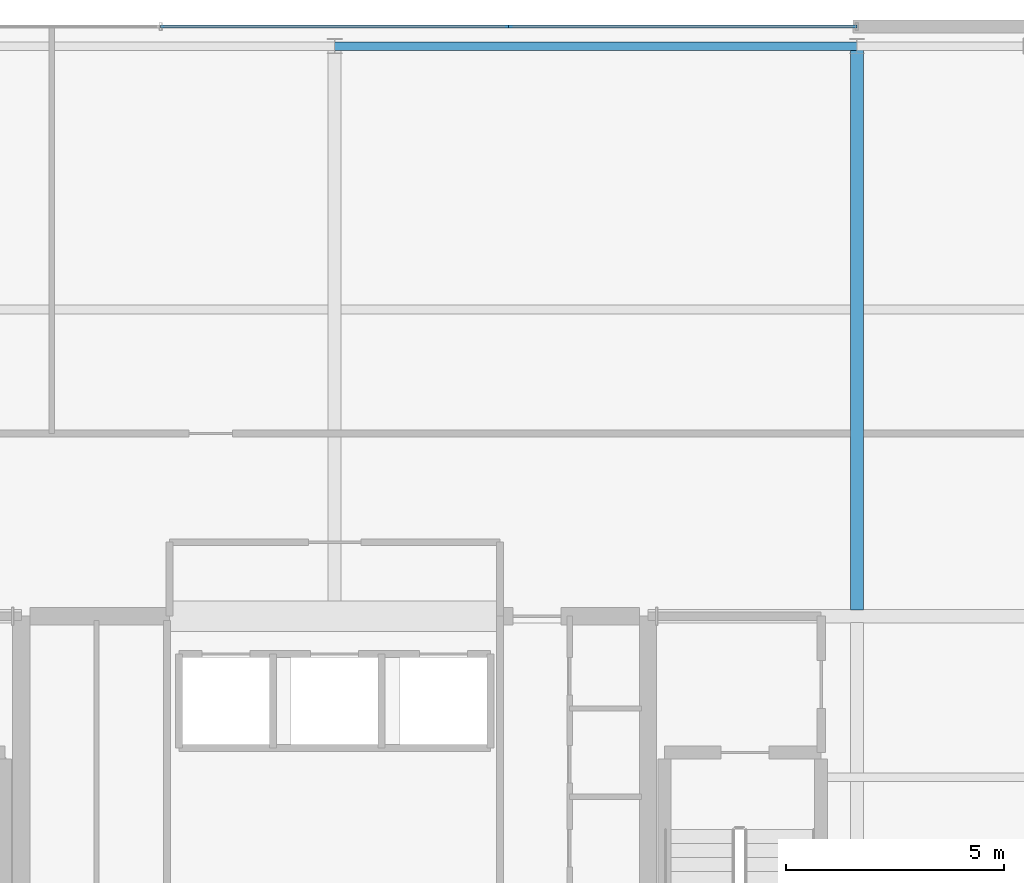
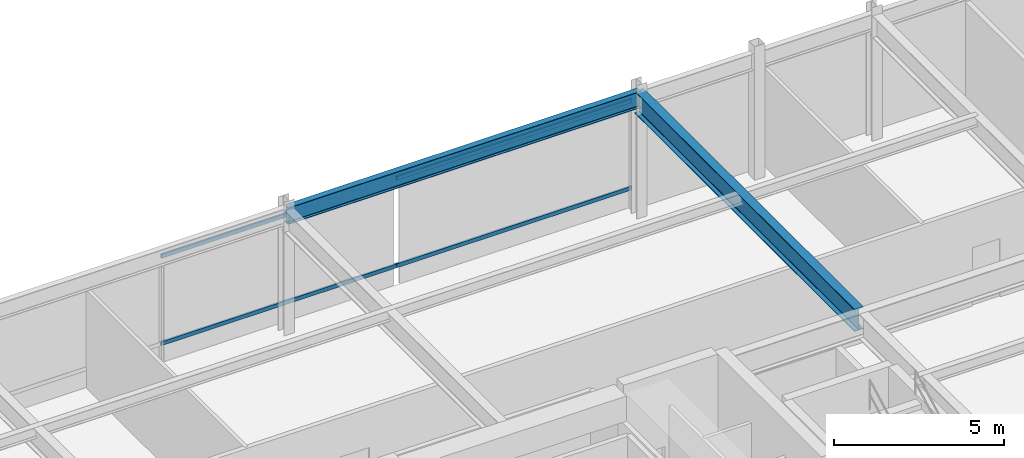
# One storey, part 11 of 22: 4 members, 2 beams, 1 element without a shape of its own.
"""IFC4 building model written with IfcOpenShell, lengths in metres."""

import ifcopenshell
import ifcopenshell.guid

model = None  # the IFC model being written
_history = None  # IfcOwnerHistory: only IFC2X3 demands one
_inside = {}  # id of a spatial element -> (the spatial element, [elements in it])
_under = {}  # id of a project, library or spatial element -> (it, [spatial elements below it])
_declared = {}  # id of a project -> (the project, [libraries it declares])
_typed = {}  # id of a type object -> (the type object, [elements of that type])
_made_of = {}  # id of a material, layer set ... -> (it, [elements and type objects made of it])


def new_model(schema):
    """Start an empty IFC model of exactly this schema.

    Asked for "IFC4X3", IfcOpenShell would pick the latest addendum, in which some entities
    have other attributes; the version numbers below select the first issue.
    IFC2X3 requires an IfcOwnerHistory on every rooted entity: one is made here for all.
    """
    global model, _history
    if schema == "IFC4X3":
        model = ifcopenshell.file(schema_version=(4, 3, 0, 0))
    else:
        model = ifcopenshell.file(schema=schema)
    _inside.clear()
    _under.clear()
    _declared.clear()
    _typed.clear()
    _made_of.clear()
    _history = None
    if model.schema == "IFC2X3":
        org = make("IfcOrganization", Name="unknown")
        user = make(
            "IfcPersonAndOrganization",
            ThePerson=make("IfcPerson", FamilyName="unknown"),
            TheOrganization=org,
        )
        app = make(
            "IfcApplication",
            ApplicationDeveloper=org,
            Version="unknown",
            ApplicationFullName="unknown",
            ApplicationIdentifier="unknown",
        )
        _history = make(
            "IfcOwnerHistory",
            OwningUser=user,
            OwningApplication=app,
            ChangeAction="ADDED",
            CreationDate=0,
        )
    return model


def make(cls, **values):
    """One entity of the class cls with the attributes given. An attribute that is None is left unset."""
    return model.create_entity(
        cls, **{name: value for name, value in values.items() if value is not None}
    )


def rooted(cls, **values):
    """An entity with a GlobalId (a new one), such as an element, a storey or a relation."""
    return make(cls, GlobalId=ifcopenshell.guid.new(), OwnerHistory=_history, **values)


def si_unit(unit_type, name, prefix=None):
    """IfcSIUnit, for example si_unit("LENGTHUNIT", "METRE", prefix="MILLI")."""
    return make("IfcSIUnit", UnitType=unit_type, Prefix=prefix, Name=name)


def assignment(units):
    """IfcUnitAssignment: the units of a project."""
    return None if units is None else make("IfcUnitAssignment", Units=units)


def point(xyz):
    """IfcCartesianPoint."""
    return None if xyz is None else make("IfcCartesianPoint", Coordinates=xyz)


def direction(xyz):
    """IfcDirection."""
    return None if xyz is None else make("IfcDirection", DirectionRatios=xyz)


def frame(location, z_axis=None, x_axis=None):
    """IfcAxis2Placement3D, a coordinate frame: its origin and axes. An axis left out is left unset."""
    return make(
        "IfcAxis2Placement3D",
        Location=point(location),
        Axis=direction(z_axis),
        RefDirection=direction(x_axis),
    )


def frame_2d(location, x_axis=None):
    """IfcAxis2Placement2D, a coordinate frame in the plane: its origin and x axis."""
    return make(
        "IfcAxis2Placement2D", Location=point(location), RefDirection=direction(x_axis)
    )


def origin():
    """The frame at (0, 0, 0) with its axes left unset."""
    return frame((0.0, 0.0, 0.0))


def origin_2d():
    """The frame at (0, 0) in the plane with its x axis left unset."""
    return frame_2d((0.0, 0.0))


def place(relative_to, where):
    """IfcLocalPlacement: puts the frame where relative to a parent placement (None: the world)."""
    return make(
        "IfcLocalPlacement", PlacementRelTo=relative_to, RelativePlacement=where
    )


def context(
    kind, dimensions, precision=None, world=None, true_north=None, identifier=None
):
    """IfcGeometricRepresentationContext, for example the 3D "Model" context."""
    return make(
        "IfcGeometricRepresentationContext",
        ContextIdentifier=identifier,
        ContextType=kind,
        CoordinateSpaceDimension=dimensions,
        Precision=precision,
        WorldCoordinateSystem=world,
        TrueNorth=true_north,
    )


def subcontext(parent, identifier, kind, view, scale=None):
    """IfcGeometricRepresentationSubContext, for example "Body" below "Model"."""
    return make(
        "IfcGeometricRepresentationSubContext",
        ContextIdentifier=identifier,
        ContextType=kind,
        ParentContext=parent,
        TargetScale=scale,
        TargetView=view,
    )


def project(units=None, contexts=None):
    """IfcProject with its units and contexts."""
    return rooted(
        "IfcProject",
        Name="project",
        RepresentationContexts=contexts,
        UnitsInContext=assignment(units),
    )


def spatial(cls, under=None, at=None, **own):
    """A site, building, storey or space (cls), placed at a placement, below another one or the project."""
    s = rooted(cls, ObjectPlacement=at, **own)
    if under is not None:
        _under.setdefault(under.id(), (under, []))[1].append(s)
    return s


def profile(cls, at=None, kind="AREA", **sizes):
    """A parametric profile (cls). Its sizes go by their IFC names, for example OverallWidth=200.0."""
    return make(cls, ProfileType=kind, Position=at, **sizes)


def hollow_rectangle(**sizes):
    """IfcRectangleHollowProfileDef."""
    return profile("IfcRectangleHollowProfileDef", **sizes)


def i_section(**sizes):
    """IfcIShapeProfileDef."""
    return profile("IfcIShapeProfileDef", **sizes)


def extrude(swept, where, along, depth):
    """IfcExtrudedAreaSolid: the profile swept, set in the frame where, extruded along a direction by depth."""
    return make(
        "IfcExtrudedAreaSolid",
        SweptArea=swept,
        Position=where,
        ExtrudedDirection=direction(along),
        Depth=depth,
    )


def shape(context_of_items, identifier, shape_type, items):
    """IfcShapeRepresentation: the items that make up one representation, for example the "Body"."""
    return make(
        "IfcShapeRepresentation",
        ContextOfItems=context_of_items,
        RepresentationIdentifier=identifier,
        RepresentationType=shape_type,
        Items=items,
    )


def material(Name=None, Category=None):
    """IfcMaterial."""
    return make("IfcMaterial", Name=Name, Category=Category)


def layer(
    of_material, thickness, ventilated=None, Name=None, Category=None, Priority=None
):
    """IfcMaterialLayer: one layer of a wall or slab, of a material (None: an air gap)."""
    return make(
        "IfcMaterialLayer",
        Material=of_material,
        LayerThickness=thickness,
        IsVentilated=ventilated,
        Name=Name,
        Category=Category,
        Priority=Priority,
    )


def layer_set(layers, Name=None):
    """IfcMaterialLayerSet."""
    return make("IfcMaterialLayerSet", MaterialLayers=layers, LayerSetName=Name)


def material_profile(
    of_material, cross_section, Name=None, Category=None, Priority=None
):
    """IfcMaterialProfile: a cross section and its material."""
    return make(
        "IfcMaterialProfile",
        Name=Name,
        Material=of_material,
        Profile=cross_section,
        Priority=Priority,
        Category=Category,
    )


def profile_set(profiles, Name=None, composite=None):
    """IfcMaterialProfileSet."""
    return make(
        "IfcMaterialProfileSet",
        Name=Name,
        MaterialProfiles=profiles,
        CompositeProfile=composite,
    )


def made_of(thing, what):
    """Note that an element or type object is made of a material, layer set ...; save() writes the relation."""
    if what is not None:
        _made_of.setdefault(what.id(), (what, []))[1].append(thing)
    return thing


def type_object(cls, material=None, **own):
    """A type object (cls), such as IfcWallType, which elements share."""
    return made_of(rooted(cls, **own), material)


def element(
    cls,
    number,
    at=None,
    inside=None,
    cuts=None,
    type_object=None,
    material=None,
    context=None,
    identifier="Body",
    shape_type=None,
    held_by="IfcProductDefinitionShape",
    body=None,
    shapes=None,
    **own,
):
    """One element of the class cls, such as IfcWall. Its Tag is "e" and its number.

    at: its placement. inside: the storey or other place that contains it. cuts: it is an
    opening in that element (IfcRelVoidsElement). A single representation is given by context,
    identifier, shape_type and body (its items); several are given by shapes. held_by: the class
    of the entity that holds the representations. save() writes the other relations.
    """
    e = rooted(cls, Tag="e%d" % number, ObjectPlacement=at, **own)
    if body is not None:
        shapes = [shape(context, identifier, shape_type, body)]
    if shapes is not None:
        e.Representation = make(held_by, Representations=shapes)
    if inside is not None:
        _inside.setdefault(inside.id(), (inside, []))[1].append(e)
    if cuts is not None:
        rooted(
            "IfcRelVoidsElement", RelatingBuildingElement=cuts, RelatedOpeningElement=e
        )
    if type_object is not None:
        _typed.setdefault(type_object.id(), (type_object, []))[1].append(e)
    return made_of(e, material)


def aggregate(whole, parts):
    """IfcRelAggregates: a whole, such as a stair, and the parts it consists of."""
    return rooted("IfcRelAggregates", RelatingObject=whole, RelatedObjects=parts)


def save(model, path):
    """Write the relations noted so far, then the file.

    IfcRelAggregates (storeys below a building ...), IfcRelContainedInSpatialStructure (elements
    in a storey), IfcRelDefinesByType, IfcRelAssociatesMaterial and IfcRelDeclares: one each for
    every whole, place, type object, material and project.
    """
    for whole, parts in _under.values():
        aggregate(whole, parts)
    for where, things in _inside.values():
        rooted(
            "IfcRelContainedInSpatialStructure",
            RelatedElements=things,
            RelatingStructure=where,
        )
    for kind, things in _typed.values():
        rooted("IfcRelDefinesByType", RelatedObjects=things, RelatingType=kind)
    for what, things in _made_of.values():
        rooted("IfcRelAssociatesMaterial", RelatedObjects=things, RelatingMaterial=what)
    for by, libraries in _declared.values():
        rooted("IfcRelDeclares", RelatingContext=by, RelatedDefinitions=libraries)
    model.write(path)


model = new_model("IFC4")

# Units and contexts
model_context = context("Model", 3, precision=1e-05, world=origin(), true_north=direction((0.0, 1.0)))
body_context = subcontext(model_context, "Body", "Model", "MODEL_VIEW")
ifc_project = project(units=[si_unit("LENGTHUNIT", "METRE"), si_unit("AREAUNIT", "SQUARE_METRE"), si_unit("VOLUMEUNIT", "CUBIC_METRE"), si_unit("PLANEANGLEUNIT", "RADIAN"), si_unit("MASSUNIT", "GRAM", prefix="KILO")], contexts=[model_context])

# Site, building, storey
site_placement = place(None, origin())
site = spatial("IfcSite", under=ifc_project, at=site_placement, CompositionType="ELEMENT")
building_placement = place(site_placement, origin())
building = spatial("IfcBuilding", under=site, at=building_placement, Name="Veldorina Hangang Commons", CompositionType="ELEMENT")
storey_placement = place(building_placement, frame((0.0, 0.0, 14.800048828125)))
storey = spatial("IfcBuildingStorey", under=building, at=storey_placement, Name="L03", CompositionType="ELEMENT", Elevation=14.800048828125)

# Beams
ifc_material_1 = material(Name="Steel SM460-TMC", Category="steel")
ifc_material_profile_1 = material_profile(ifc_material_1, i_section(OverallWidth=0.300048828125, OverallDepth=0.800048828125, WebThickness=0.013916015625, FlangeThickness=0.02587890625, FilletRadius=0.02197265625, at=origin_2d()), Name="H-800x300x14x26")
ifc_profile_set_1 = profile_set([ifc_material_profile_1], Name="Steel SM460-TMC")
beam_type_1 = type_object("IfcBeamType", Name="BM-PG800", PredefinedType="BEAM", material=ifc_profile_set_1)
beam_1_placement = place(storey_placement, frame((44.0, 31.590087890625, 4.099853515625), z_axis=(0.0, 1.0, 0.0), x_axis=(-1.0, 0.0, 0.0)))
element("IfcBeam", 1, at=beam_1_placement, inside=storey, type_object=beam_type_1, Name="L03 north primary girder G7", PredefinedType="BEAM", context=body_context, shape_type="SweptSolid", body=[
    extrude(i_section(OverallWidth=0.300048828125, OverallDepth=0.800048828125, WebThickness=0.013916015625, FlangeThickness=0.02587890625, FilletRadius=0.02197265625, at=origin_2d()), origin(), (0.0, 0.0, 1.0), 12.9599609375),
])
ifc_material_2 = material(Name="Steel SM420-TMC", Category="steel")
ifc_material_profile_2 = material_profile(ifc_material_2, i_section(OverallWidth=0.199951171875, OverallDepth=0.60009765625, WebThickness=0.010986328125, FlangeThickness=0.01708984375, FilletRadius=0.01806640625, at=origin_2d()), Name="H-600x200x11x17")
ifc_profile_set_2 = profile_set([ifc_material_profile_2], Name="Steel SM420-TMC")
beam_type_2 = type_object("IfcBeamType", Name="BM-SPN600", PredefinedType="SPANDREL", material=ifc_profile_set_2)
beam_2_placement = place(storey_placement, frame((32.0, 44.550048828125, 4.199951171875), z_axis=(1.0, 0.0, 0.0), x_axis=(0.0, 1.0, 0.0)))
element("IfcBeam", 2, at=beam_2_placement, inside=storey, type_object=beam_type_2, Name="L03 north spandrel beam 4", PredefinedType="SPANDREL", context=body_context, shape_type="SweptSolid", body=[
    extrude(i_section(OverallWidth=0.199951171875, OverallDepth=0.60009765625, WebThickness=0.010986328125, FlangeThickness=0.01708984375, FilletRadius=0.01806640625, at=origin_2d()), origin(), (0.0, 0.0, 1.0), 12.0),
])

# Curtain wall, members
ifc_material_3 = material(Name="Glass Low-E Triple IGU", Category="glass")
ifc_layer = layer(ifc_material_3, 0.179931640625)
ifc_layer_set = layer_set([ifc_layer], Name="Glass Low-E Triple IGU")
curtain_wall_type = type_object("IfcCurtainWallType", Name="CW-SYS-POD", PredefinedType="NOTDEFINED", material=ifc_layer_set)
curtain_wall_placement = place(storey_placement, origin())
curtain_wall = element("IfcCurtainWall", 3, at=curtain_wall_placement, inside=storey, type_object=curtain_wall_type, Name="L03 unitised curtain wall CW-L03-N-CTR", PredefinedType="NOTDEFINED")
ifc_material_4 = material(Name="Aluminium Anodized AA6063-T6", Category="aluminium")
ifc_material_profile_3 = material_profile(ifc_material_4, hollow_rectangle(XDim=0.06005859375, YDim=0.139892578125, WallThickness=0.00341796875, at=origin_2d()), Name="ALU-RHS-140x60x3.5")
ifc_profile_set_3 = profile_set([ifc_material_profile_3], Name="Aluminium Anodized AA6063-T6")
member_type = type_object("IfcMemberType", Name="CW-TRN-140", PredefinedType="USERDEFINED", material=ifc_profile_set_3)
member_1_placement = place(storey_placement, frame((44.0, 45.0, 0.699951171875), z_axis=(-1.0, 0.0, 0.0), x_axis=(0.0, -1.0, 0.0)))
member_1 = element("IfcMember", 4, at=member_1_placement, type_object=member_type, Name="CW-L03-N-CTR facet 1 transom 1", ObjectType="TRANSOM", PredefinedType="USERDEFINED", context=body_context, shape_type="SweptSolid", body=[
    extrude(hollow_rectangle(XDim=0.06005859375, YDim=0.139892578125, WallThickness=0.00341796875, at=origin_2d()), origin(), (0.0, 0.0, 1.0), 8.0),
])
member_2_placement = place(storey_placement, frame((44.0, 45.0, 3.83984375), z_axis=(-1.0, 0.0, 0.0), x_axis=(0.0, -1.0, 0.0)))
member_2 = element("IfcMember", 5, at=member_2_placement, type_object=member_type, Name="CW-L03-N-CTR facet 1 transom 2", ObjectType="TRANSOM", PredefinedType="USERDEFINED", context=body_context, shape_type="SweptSolid", body=[
    extrude(hollow_rectangle(XDim=0.06005859375, YDim=0.139892578125, WallThickness=0.00341796875, at=origin_2d()), origin(), (0.0, 0.0, 1.0), 8.0),
])
member_3_placement = place(storey_placement, frame((36.0, 45.0, 0.699951171875), z_axis=(-1.0, 0.0, 0.0), x_axis=(0.0, -1.0, 0.0)))
member_3 = element("IfcMember", 6, at=member_3_placement, type_object=member_type, Name="CW-L03-N-CTR facet 2 transom 1", ObjectType="TRANSOM", PredefinedType="USERDEFINED", context=body_context, shape_type="SweptSolid", body=[
    extrude(hollow_rectangle(XDim=0.06005859375, YDim=0.139892578125, WallThickness=0.00341796875, at=origin_2d()), origin(), (0.0, 0.0, 1.0), 8.0),
])
member_4_placement = place(storey_placement, frame((36.0, 45.0, 3.83984375), z_axis=(-1.0, 0.0, 0.0), x_axis=(0.0, -1.0, 0.0)))
member_4 = element("IfcMember", 7, at=member_4_placement, type_object=member_type, Name="CW-L03-N-CTR facet 2 transom 2", ObjectType="TRANSOM", PredefinedType="USERDEFINED", context=body_context, shape_type="SweptSolid", body=[
    extrude(hollow_rectangle(XDim=0.06005859375, YDim=0.139892578125, WallThickness=0.00341796875, at=origin_2d()), origin(), (0.0, 0.0, 1.0), 8.0),
])
aggregate(curtain_wall, [member_1, member_2, member_3, member_4])

save(model, "model.ifc")
